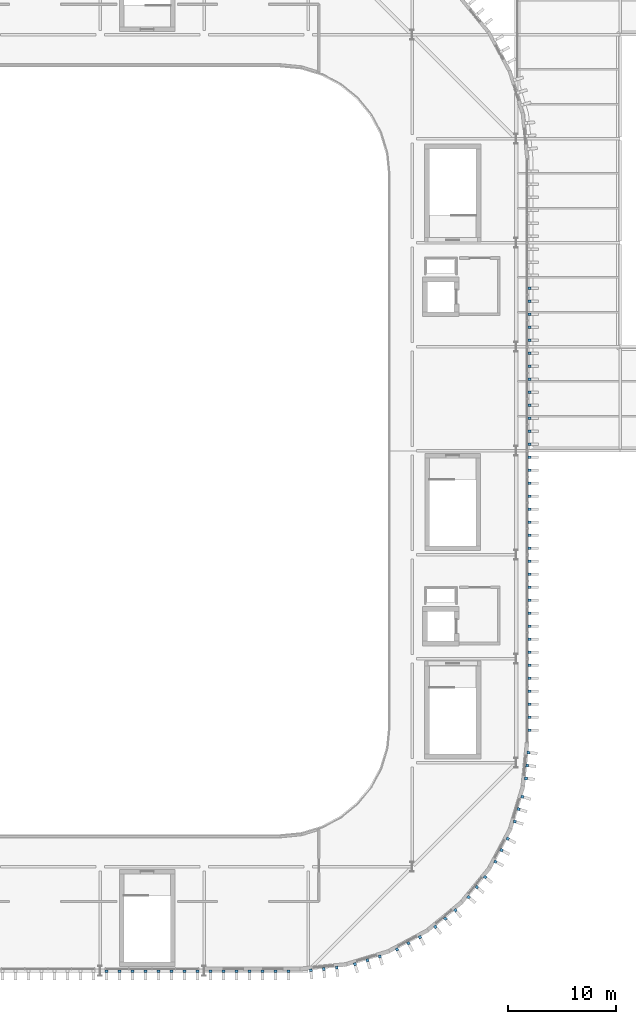
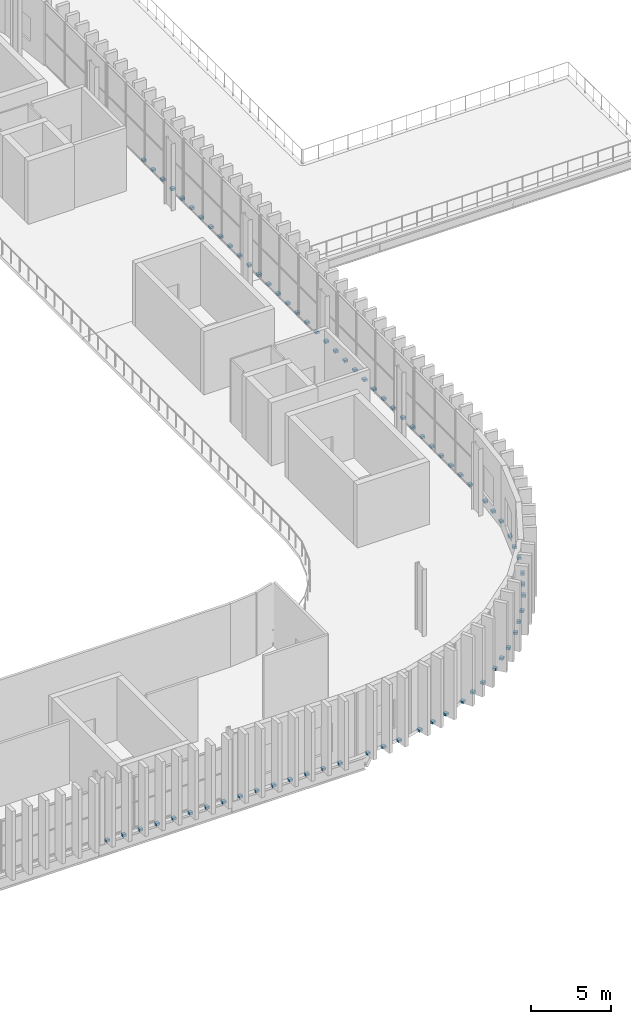
# One storey, part 39 of 45: 74 discrete accessories.
"""IFC4 building model written with IfcOpenShell, lengths in metres."""

from ifc_helpers import new_model, si_unit, direction, frame, origin, origin_2d, place, context, subcontext, project, spatial, rectangle, extrude, material, type_object, element, save


model = new_model("IFC4")

# Units and contexts
model_context = context("Model", 3, precision=1e-05, world=origin(), true_north=direction((0.0, 1.0)))
body_context = subcontext(model_context, "Body", "Model", "MODEL_VIEW")
ifc_project = project(units=[si_unit("LENGTHUNIT", "METRE"), si_unit("AREAUNIT", "SQUARE_METRE"), si_unit("VOLUMEUNIT", "CUBIC_METRE"), si_unit("PLANEANGLEUNIT", "RADIAN"), si_unit("MASSUNIT", "GRAM", prefix="KILO")], contexts=[model_context])

# Site, building, storey
site_placement = place(None, origin())
site = spatial("IfcSite", under=ifc_project, at=site_placement, CompositionType="ELEMENT")
building_placement = place(site_placement, origin())
building = spatial("IfcBuilding", under=site, at=building_placement, Name="Caelomonte Colonnade Arena", CompositionType="ELEMENT")
storey_placement = place(building_placement, frame((0.0, 0.0, 23.10009765625)))
storey = spatial("IfcBuildingStorey", under=building, at=storey_placement, Name="L05", CompositionType="ELEMENT", Elevation=23.10009765625)

# Discrete accessories
ifc_material = material(Name="Steel ASTM A572 Grade 50", Category="steel")
discrete_accessory_type = type_object("IfcDiscreteAccessoryType", Name="ENV-ACC-BRK", PredefinedType="BRACKET", material=ifc_material)
for number, where, z_axis, x_axis, name in (
    (1, (144.257080078125, 19.25439453125, -0.2099609375), (0.0, 0.0, 1.0), (0.995184897743, 0.098015403404, 0.0), "V1 L05 fin support bracket 1"),
    (2, (145.451416015625, 19.371826171875, -0.2099609375), (0.0, 0.0, 1.0), (0.995184897743, 0.098015403404, 0.0), "V1 L05 fin support bracket 2"),
    (3, (146.6455078125, 19.489501953125, -0.2099609375), (0.0, 0.0, 1.0), (0.995184897743, 0.098015403404, 0.0), "V1 L05 fin support bracket 3"),
    (4, (148.326904296875, 19.823974609375, -0.2099609375), (0.0, 0.0, 1.0), (0.956942868907, 0.290276326364, 0.0), "V1 L05 fin support bracket 4"),
    (5, (149.475341796875, 20.17236328125, -0.2099609375), (0.0, 0.0, 1.0), (0.956942868907, 0.290276326364, 0.0), "V1 L05 fin support bracket 5"),
    (6, (150.623779296875, 20.5205078125, -0.2099609375), (0.0, 0.0, 1.0), (0.956942868907, 0.290276326364, 0.0), "V1 L05 fin support bracket 6"),
    (7, (152.20751953125, 21.1767578125, -0.2099609375), (0.0, 0.0, 1.0), (0.881921264348, 0.471396736826, 0.0), "V1 L05 fin support bracket 7"),
    (8, (153.265869140625, 21.7421875, -0.2099609375), (0.0, 0.0, 1.0), (0.881921264348, 0.471396736826, 0.0), "V1 L05 fin support bracket 8"),
    (9, (154.32421875, 22.30810546875, -0.2099609375), (0.0, 0.0, 1.0), (0.881921264348, 0.471396736826, 0.0), "V1 L05 fin support bracket 9"),
    (10, (155.74951171875, 23.260498046875, -0.2099609375), (0.0, 0.0, 1.0), (0.77299384472, 0.634413521313, 0.0), "V1 L05 fin support bracket 10"),
    (11, (156.677001953125, 24.021728515625, -0.2099609375), (0.0, 0.0, 1.0), (0.77299384472, 0.634413521313, 0.0), "V1 L05 fin support bracket 11"),
    (12, (157.604736328125, 24.783203125, -0.2099609375), (0.0, 0.0, 1.0), (0.77299384472, 0.634413521313, 0.0), "V1 L05 fin support bracket 12"),
    (13, (158.81689453125, 25.995361328125, -0.2099609375), (0.0, 0.0, 1.0), (0.634413521313, 0.77299384472, 0.0), "V1 L05 fin support bracket 13"),
    (14, (159.578125, 26.9228515625, -0.2099609375), (0.0, 0.0, 1.0), (0.634413521313, 0.77299384472, 0.0), "V1 L05 fin support bracket 14"),
    (15, (160.339599609375, 27.8505859375, -0.2099609375), (0.0, 0.0, 1.0), (0.634413521313, 0.77299384472, 0.0), "V1 L05 fin support bracket 15"),
    (16, (161.2919921875, 29.27587890625, -0.2099609375), (0.0, 0.0, 1.0), (0.471396736826, 0.881921264348, 0.0), "V1 L05 fin support bracket 16"),
    (17, (161.857666015625, 30.334228515625, -0.2099609375), (0.0, 0.0, 1.0), (0.471396736826, 0.881921264348, 0.0), "V1 L05 fin support bracket 17"),
    (18, (162.42333984375, 31.392578125, -0.2099609375), (0.0, 0.0, 1.0), (0.471396736826, 0.881921264348, 0.0), "V1 L05 fin support bracket 18"),
    (19, (163.079345703125, 32.976318359375, -0.2099609375), (0.0, 0.0, 1.0), (0.290276326364, 0.956942868907, 0.0), "V1 L05 fin support bracket 19"),
    (20, (163.427734375, 34.12451171875, -0.2099609375), (0.0, 0.0, 1.0), (0.290276326364, 0.956942868907, 0.0), "V1 L05 fin support bracket 20"),
    (21, (163.77587890625, 35.27294921875, -0.2099609375), (0.0, 0.0, 1.0), (0.290276326364, 0.956942868907, 0.0), "V1 L05 fin support bracket 21"),
    (22, (164.110595703125, 36.954345703125, -0.2099609375), (0.0, 0.0, 1.0), (0.098015403404, 0.995184897743, 0.0), "V1 L05 fin support bracket 22"),
    (23, (164.22802734375, 38.148681640625, -0.2099609375), (0.0, 0.0, 1.0), (0.098015403404, 0.995184897743, 0.0), "V1 L05 fin support bracket 23"),
    (24, (164.345703125, 39.3427734375, -0.2099609375), (0.0, 0.0, 1.0), (0.098015403404, 0.995184897743, 0.0), "V1 L05 fin support bracket 24"),
    (25, (164.429931640625, 41.39990234375, -0.2099609375), (0.0, 0.0, 1.0), (0.0, 1.0, 0.0), "V1 L05 fin support bracket 25"),
    (26, (164.429931640625, 42.60009765625, -0.2099609375), (0.0, 0.0, 1.0), (0.0, 1.0, 0.0), "V1 L05 fin support bracket 26"),
    (27, (164.429931640625, 43.800048828125, -0.2099609375), (0.0, 0.0, 1.0), (0.0, 1.0, 0.0), "V1 L05 fin support bracket 27"),
    (28, (164.429931640625, 45.0, -0.2099609375), (0.0, 0.0, 1.0), (0.0, 1.0, 0.0), "V1 L05 fin support bracket 28"),
    (29, (164.429931640625, 46.199951171875, -0.2099609375), (0.0, 0.0, 1.0), (0.0, 1.0, 0.0), "V1 L05 fin support bracket 29"),
    (30, (164.429931640625, 47.39990234375, -0.2099609375), (0.0, 0.0, 1.0), (0.0, 1.0, 0.0), "V1 L05 fin support bracket 30"),
    (31, (164.429931640625, 48.60009765625, -0.2099609375), (0.0, 0.0, 1.0), (0.0, 1.0, 0.0), "V1 L05 fin support bracket 31"),
    (32, (164.429931640625, 49.800048828125, -0.2099609375), (0.0, 0.0, 1.0), (0.0, 1.0, 0.0), "V1 L05 fin support bracket 32"),
    (33, (164.429931640625, 51.0, -0.2099609375), (0.0, 0.0, 1.0), (0.0, 1.0, 0.0), "V1 L05 fin support bracket 33"),
    (34, (164.429931640625, 52.199951171875, -0.2099609375), (0.0, 0.0, 1.0), (0.0, 1.0, 0.0), "V1 L05 fin support bracket 34"),
    (35, (164.429931640625, 53.39990234375, -0.2099609375), (0.0, 0.0, 1.0), (0.0, 1.0, 0.0), "V1 L05 fin support bracket 35"),
    (36, (164.429931640625, 54.60009765625, -0.2099609375), (0.0, 0.0, 1.0), (0.0, 1.0, 0.0), "V1 L05 fin support bracket 36"),
    (37, (164.429931640625, 55.800048828125, -0.2099609375), (0.0, 0.0, 1.0), (0.0, 1.0, 0.0), "V1 L05 fin support bracket 37"),
    (38, (164.429931640625, 57.0, -0.2099609375), (0.0, 0.0, 1.0), (0.0, 1.0, 0.0), "V1 L05 fin support bracket 38"),
    (39, (164.429931640625, 58.199951171875, -0.2099609375), (0.0, 0.0, 1.0), (0.0, 1.0, 0.0), "V1 L05 fin support bracket 39"),
    (40, (164.429931640625, 59.39990234375, -0.2099609375), (0.0, 0.0, 1.0), (0.0, 1.0, 0.0), "V1 L05 fin support bracket 40"),
    (41, (164.429931640625, 60.60009765625, -0.2099609375), (0.0, 0.0, 1.0), (0.0, 1.0, 0.0), "V1 L05 fin support bracket 41"),
    (42, (164.429931640625, 61.800048828125, -0.2099609375), (0.0, 0.0, 1.0), (0.0, 1.0, 0.0), "V1 L05 fin support bracket 42"),
    (43, (164.429931640625, 63.0, -0.2099609375), (0.0, 0.0, 1.0), (0.0, 1.0, 0.0), "V1 L05 fin support bracket 43"),
    (44, (164.429931640625, 64.199951171875, -0.2099609375), (0.0, 0.0, 1.0), (0.0, 1.0, 0.0), "V1 L05 fin support bracket 44"),
    (45, (164.429931640625, 65.39990234375, -0.2099609375), (0.0, 0.0, 1.0), (0.0, 1.0, 0.0), "V1 L05 fin support bracket 45"),
    (46, (164.429931640625, 66.60009765625, -0.2099609375), (0.0, 0.0, 1.0), (0.0, 1.0, 0.0), "V1 L05 fin support bracket 46"),
    (47, (164.429931640625, 67.800048828125, -0.2099609375), (0.0, 0.0, 1.0), (0.0, 1.0, 0.0), "V1 L05 fin support bracket 47"),
    (48, (164.429931640625, 69.0, -0.2099609375), (0.0, 0.0, 1.0), (0.0, 1.0, 0.0), "V1 L05 fin support bracket 48"),
    (49, (164.429931640625, 70.199951171875, -0.2099609375), (0.0, 0.0, 1.0), (0.0, 1.0, 0.0), "V1 L05 fin support bracket 49"),
    (50, (164.429931640625, 71.39990234375, -0.2099609375), (0.0, 0.0, 1.0), (0.0, 1.0, 0.0), "V1 L05 fin support bracket 50"),
    (51, (164.429931640625, 72.60009765625, -0.2099609375), (0.0, 0.0, 1.0), (0.0, 1.0, 0.0), "V1 L05 fin support bracket 51"),
    (52, (164.429931640625, 73.800048828125, -0.2099609375), (0.0, 0.0, 1.0), (0.0, 1.0, 0.0), "V1 L05 fin support bracket 52"),
    (53, (164.429931640625, 75.0, -0.2099609375), (0.0, 0.0, 1.0), (0.0, 1.0, 0.0), "V1 L05 fin support bracket 53"),
    (54, (164.429931640625, 76.199951171875, -0.2099609375), (0.0, 0.0, 1.0), (0.0, 1.0, 0.0), "V1 L05 fin support bracket 54"),
    (55, (164.429931640625, 77.39990234375, -0.2099609375), (0.0, 0.0, 1.0), (0.0, 1.0, 0.0), "V1 L05 fin support bracket 55"),
    (56, (164.429931640625, 78.60009765625, -0.2099609375), (0.0, 0.0, 1.0), (0.0, 1.0, 0.0), "V1 L05 fin support bracket 56"),
    (57, (164.429931640625, 79.800048828125, -0.2099609375), (0.0, 0.0, 1.0), (0.0, 1.0, 0.0), "V1 L05 fin support bracket 57"),
    (58, (164.429931640625, 81.0, -0.2099609375), (0.0, 0.0, 1.0), (0.0, 1.0, 0.0), "V1 L05 fin support bracket 58"),
    (59, (164.429931640625, 82.199951171875, -0.2099609375), (0.0, 0.0, 1.0), (0.0, 1.0, 0.0), "V1 L05 fin support bracket 59"),
    (60, (125.39990234375, 19.169921875, -0.2099609375), (0.0, 0.0, 1.0), (1.0, 0.0, 0.0), "V1 L05 fin support bracket 278"),
    (61, (126.60009765625, 19.169921875, -0.2099609375), (0.0, 0.0, 1.0), (1.0, 0.0, 0.0), "V1 L05 fin support bracket 279"),
    (62, (127.800048828125, 19.169921875, -0.2099609375), (0.0, 0.0, 1.0), (1.0, 0.0, 0.0), "V1 L05 fin support bracket 280"),
    (63, (129.0, 19.169921875, -0.2099609375), (0.0, 0.0, 1.0), (1.0, 0.0, 0.0), "V1 L05 fin support bracket 281"),
    (64, (130.199951171875, 19.169921875, -0.2099609375), (0.0, 0.0, 1.0), (1.0, 0.0, 0.0), "V1 L05 fin support bracket 282"),
    (65, (131.39990234375, 19.169921875, -0.2099609375), (0.0, 0.0, 1.0), (1.0, 0.0, 0.0), "V1 L05 fin support bracket 283"),
    (66, (132.60009765625, 19.169921875, -0.2099609375), (0.0, 0.0, 1.0), (1.0, 0.0, 0.0), "V1 L05 fin support bracket 284"),
    (67, (133.800048828125, 19.169921875, -0.2099609375), (0.0, 0.0, 1.0), (1.0, 0.0, 0.0), "V1 L05 fin support bracket 285"),
    (68, (135.0, 19.169921875, -0.2099609375), (0.0, 0.0, 1.0), (1.0, 0.0, 0.0), "V1 L05 fin support bracket 286"),
    (69, (136.199951171875, 19.169921875, -0.2099609375), (0.0, 0.0, 1.0), (1.0, 0.0, 0.0), "V1 L05 fin support bracket 287"),
    (70, (137.39990234375, 19.169921875, -0.2099609375), (0.0, 0.0, 1.0), (1.0, 0.0, 0.0), "V1 L05 fin support bracket 288"),
    (71, (138.60009765625, 19.169921875, -0.2099609375), (0.0, 0.0, 1.0), (1.0, 0.0, 0.0), "V1 L05 fin support bracket 289"),
    (72, (139.800048828125, 19.169921875, -0.2099609375), (0.0, 0.0, 1.0), (1.0, 0.0, 0.0), "V1 L05 fin support bracket 290"),
    (73, (141.0, 19.169921875, -0.2099609375), (0.0, 0.0, 1.0), (1.0, 0.0, 0.0), "V1 L05 fin support bracket 291"),
    (74, (142.199951171875, 19.169921875, -0.2099609375), (0.0, 0.0, 1.0), (1.0, 0.0, 0.0), "V1 L05 fin support bracket 292"),
):
    element("IfcDiscreteAccessory", number, at=place(storey_placement, frame(where, z_axis=z_axis, x_axis=x_axis)), inside=storey, type_object=discrete_accessory_type, Name=name, PredefinedType="BRACKET", context=body_context, shape_type="SweptSolid", body=[
        extrude(rectangle(XDim=0.260009765625, YDim=0.260009765625, at=origin_2d()), origin(), (0.0, 0.0, 1.0), 0.179931640625),
    ])

save(model, "model.ifc")
